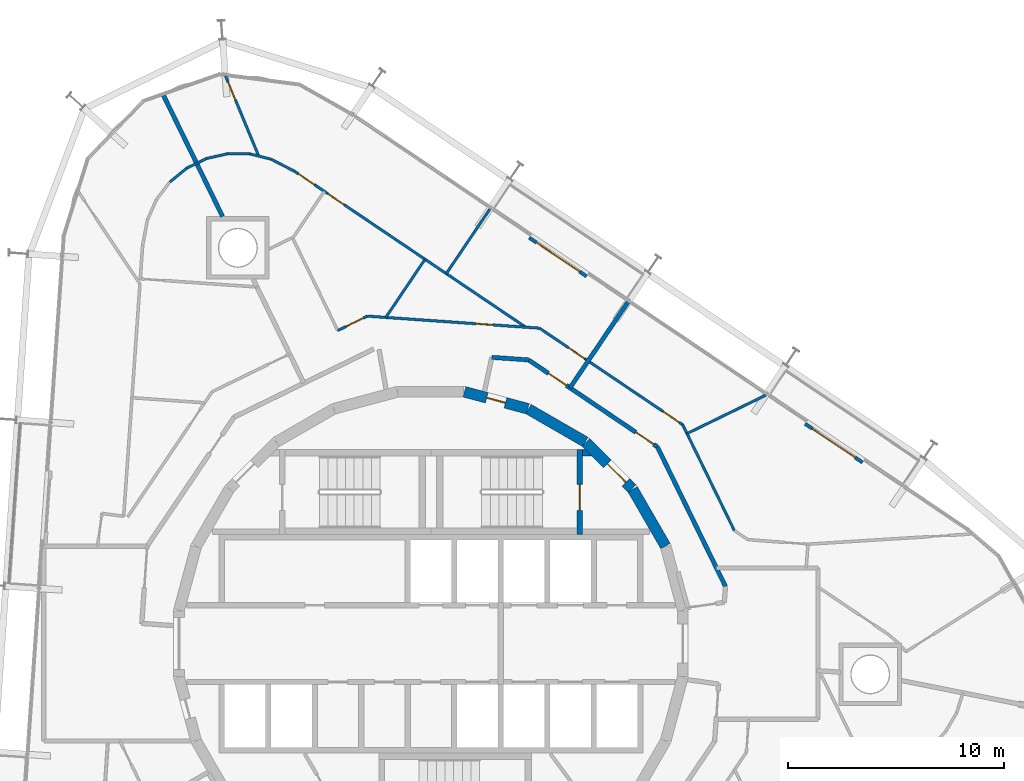
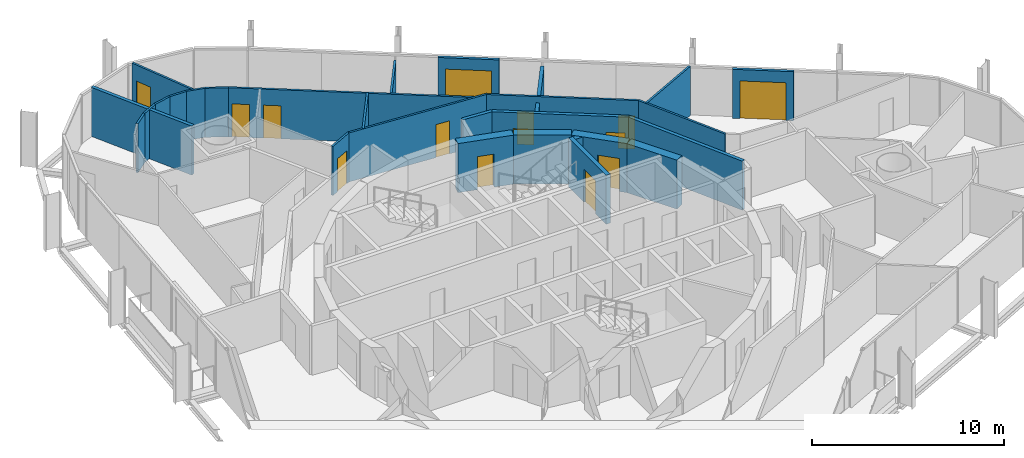
# One storey, part 16 of 18: 28 walls, 14 doors, 14 openings.
"""IFC4 building model written with IfcOpenShell, lengths in metres."""

from ifc_helpers import new_model, si_unit, direction, frame, frame_2d, origin, place, context, subcontext, project, spatial, polyline, rectangle, outline, extrude, material, layer, layer_set, type_object, element, fill, save


model = new_model("IFC4")

# Units and contexts
model_context = context("Model", 3, precision=1e-05, world=origin(), true_north=direction((0.0, 1.0)))
body_context = subcontext(model_context, "Body", "Model", "MODEL_VIEW")
ifc_project = project(units=[si_unit("LENGTHUNIT", "METRE"), si_unit("AREAUNIT", "SQUARE_METRE"), si_unit("VOLUMEUNIT", "CUBIC_METRE"), si_unit("PLANEANGLEUNIT", "RADIAN"), si_unit("MASSUNIT", "GRAM", prefix="KILO")], contexts=[model_context])

# Site, building, storey
site_placement = place(None, origin())
site = spatial("IfcSite", under=ifc_project, at=site_placement, CompositionType="ELEMENT")
building_placement = place(site_placement, origin())
building = spatial("IfcBuilding", under=site, at=building_placement, Name="Spindle Arch Residences", CompositionType="ELEMENT")
storey_placement = place(building_placement, frame((0.0, 0.0, 205.89990234375)))
storey = spatial("IfcBuildingStorey", under=building, at=storey_placement, Name="L52", CompositionType="ELEMENT", Elevation=205.89990234375)

# Wall
ifc_material_1 = material(Name="Concrete C50/60", Category="concrete")
ifc_layer_1 = layer(ifc_material_1, 0.5)
ifc_layer_set_1 = layer_set([ifc_layer_1], Name="Core outline wall 500")
wall_type_1 = type_object("IfcWallType", Name="Core outline wall 500", PredefinedType="SHEAR", material=ifc_layer_set_1)
wall_1_placement = place(storey_placement, frame((10.84521484375, 4.510498046875, 0.0), z_axis=(0.0, 0.0, 1.0), x_axis=(-0.500087131594, 0.865975092491, 0.0)))
element("IfcWall", 1, at=wall_1_placement, inside=storey, type_object=wall_type_1, Name="Core outline wall 8", PredefinedType="SHEAR", context=body_context, shape_type="SweptSolid", body=[
    extrude(rectangle(XDim=3.03271484375, YDim=0.5, at=frame_2d((1.516357421875, 0.0))), origin(), (0.0, 0.0, 1.0), 3.1201171875),
])

# Wall, opening, door
wall_2_placement = place(storey_placement, frame((9.30810546875, 7.163818359375, 0.0), z_axis=(0.0, 0.0, 1.0), x_axis=(-0.707106781187, 0.707106781187, 0.0)))
wall_2 = element("IfcWall", 2, at=wall_2_placement, inside=storey, type_object=wall_type_1, Name="Core outline wall 9", PredefinedType="SHEAR", context=body_context, shape_type="SweptSolid", body=[
    extrude(rectangle(XDim=3.032470703125, YDim=0.5, at=frame_2d((1.51611328125, 0.0))), origin(), (0.0, 0.0, 1.0), 3.1201171875),
])
opening_1_placement = place(wall_2_placement, frame((0.416259765625, 0.0, 0.0)))
opening_1 = element("IfcOpeningElement", 3, at=opening_1_placement, cuts=wall_2, Name="Opening R5B1-AD01", PredefinedType="OPENING", context=body_context, shape_type="SweptSolid", body=[
    extrude(rectangle(XDim=1.199951171875, YDim=2.10009765625, at=frame_2d((0.60009765625, 1.050048828125))), frame((0.0, 0.260009765625, 0.0), z_axis=(0.0, -1.0, 0.0), x_axis=(1.0, 0.0, 0.0)), (0.0, 0.0, 1.0), 0.52001953125),
])
ifc_material_2 = material(Name="Steel, fire-resisting door", Category="steel")
door_type_1 = type_object("IfcDoorType", Name="Stair airlock door 1200x2100", OperationType="SINGLE_SWING_LEFT", PredefinedType="DOOR", material=ifc_material_2)
door_1_placement = place(opening_1_placement, origin())
door_1 = element("IfcDoor", 4, at=door_1_placement, inside=storey, type_object=door_type_1, Name="Stair airlock door R5B1-AD01", OperationType="SINGLE_SWING_RIGHT", OverallHeight=2.10009765625, OverallWidth=1.199951171875, PredefinedType="DOOR", context=body_context, shape_type="SweptSolid", body=[
    extrude(rectangle(XDim=1.199951171875, YDim=2.10009765625, at=frame_2d((0.60009765625, 1.050048828125))), frame((0.0, 0.02490234375, 0.0), z_axis=(0.0, -1.0, 0.0), x_axis=(1.0, 0.0, 0.0)), (0.0, 0.0, 1.0), 0.050048828125),
])
fill(opening_1, door_1)

# Wall
wall_3_placement = place(storey_placement, frame((7.13671875, 9.32861328125, 0.0), z_axis=(0.0, 0.0, 1.0), x_axis=(-0.865975092491, 0.500087131594, 0.0)))
element("IfcWall", 5, at=wall_3_placement, inside=storey, type_object=wall_type_1, Name="Core outline wall 10", PredefinedType="SHEAR", context=body_context, shape_type="SweptSolid", body=[
    extrude(rectangle(XDim=3.03271484375, YDim=0.5, at=frame_2d((1.516357421875, 0.0))), origin(), (0.0, 0.0, 1.0), 3.1201171875),
])

# Wall, opening, door
wall_4_placement = place(storey_placement, frame((4.479248046875, 10.858154296875, 0.0), z_axis=(0.0, 0.0, 1.0), x_axis=(-0.965948410781, 0.258734743916, 0.0)))
wall_4 = element("IfcWall", 6, at=wall_4_placement, inside=storey, type_object=wall_type_1, Name="Core outline wall 11", PredefinedType="SHEAR", context=body_context, shape_type="SweptSolid", body=[
    extrude(rectangle(XDim=3.03271484375, YDim=0.5, at=frame_2d((1.516357421875, 0.0))), origin(), (0.0, 0.0, 1.0), 3.1201171875),
])
opening_2_placement = place(wall_4_placement, frame((1.066162109375, 0.0, 0.0)))
opening_2 = element("IfcOpeningElement", 7, at=opening_2_placement, cuts=wall_4, Name="Opening R5B1-WD11", PredefinedType="OPENING", context=body_context, shape_type="SweptSolid", body=[
    extrude(rectangle(XDim=0.89990234375, YDim=2.10009765625, at=frame_2d((0.449951171875, 1.050048828125))), frame((0.0, 0.260009765625, 0.0), z_axis=(0.0, -1.0, 0.0), x_axis=(1.0, 0.0, 0.0)), (0.0, 0.0, 1.0), 0.52001953125),
])
ifc_material_3 = material(Name="Steel, fire-resisting door", Category="steel")
door_type_2 = type_object("IfcDoorType", Name="Service room door 900x2100", OperationType="SINGLE_SWING_LEFT", PredefinedType="DOOR", material=ifc_material_3)
door_2_placement = place(opening_2_placement, origin())
door_2 = element("IfcDoor", 8, at=door_2_placement, inside=storey, type_object=door_type_2, Name="Service room door R5B1-WD11", OperationType="SINGLE_SWING_LEFT", OverallHeight=2.10009765625, OverallWidth=0.89990234375, PredefinedType="DOOR", context=body_context, shape_type="SweptSolid", body=[
    extrude(rectangle(XDim=0.89990234375, YDim=2.10009765625, at=frame_2d((0.449951171875, 1.050048828125))), frame((0.0, 0.02490234375, 0.0), z_axis=(0.0, -1.0, 0.0), x_axis=(1.0, 0.0, 0.0)), (0.0, 0.0, 1.0), 0.050048828125),
])
fill(opening_2, door_2)

# Wall, openings, doors
ifc_material_4 = material(Name="Calcium silicate block, plastered")
ifc_layer_2 = layer(ifc_material_4, 0.199951171875)
ifc_layer_set_2 = layer_set([ifc_layer_2], Name="Corridor wall 200")
wall_type_2 = type_object("IfcWallType", Name="Corridor wall 200", PredefinedType="STANDARD", material=ifc_layer_set_2)
wall_5_placement = place(storey_placement, frame((10.469970703125, 9.101318359375, 0.0), z_axis=(0.0, 0.0, 1.0), x_axis=(-0.829035841718, 0.559195469534, 0.0)))
wall_5 = element("IfcWall", 9, at=wall_5_placement, inside=storey, type_object=wall_type_2, Name="Corridor wall R5B1-W005", PredefinedType="STANDARD", context=body_context, shape_type="SweptSolid", body=[
    extrude(rectangle(XDim=7.18115234375, YDim=0.199951171875, at=frame_2d((3.590576171875, 0.0))), origin(), (0.0, 0.0, 1.0), 3.1201171875),
])
opening_3_placement = place(wall_5_placement, frame((0.199951171875, 0.0, 0.0)))
opening_3 = element("IfcOpeningElement", 10, at=opening_3_placement, cuts=wall_5, Name="Opening R5B1-FD01", PredefinedType="OPENING", context=body_context, shape_type="SweptSolid", body=[
    extrude(rectangle(XDim=1.0, YDim=2.10009765625, at=frame_2d((0.5, 1.050048828125))), frame((0.0, 0.10986328125, 0.0), z_axis=(0.0, -1.0, 0.0), x_axis=(1.0, 0.0, 0.0)), (0.0, 0.0, 1.0), 0.219970703125),
])
opening_4_placement = place(wall_5_placement, frame((5.07275390625, 0.0, 0.0)))
opening_4 = element("IfcOpeningElement", 11, at=opening_4_placement, cuts=wall_5, Name="Opening R5B1-FD02", PredefinedType="OPENING", context=body_context, shape_type="SweptSolid", body=[
    extrude(rectangle(XDim=1.0, YDim=2.10009765625, at=frame_2d((0.5, 1.050048828125))), frame((0.0, 0.10986328125, 0.0), z_axis=(0.0, -1.0, 0.0), x_axis=(1.0, 0.0, 0.0)), (0.0, 0.0, 1.0), 0.219970703125),
])
ifc_material_5 = material(Name="Timber, fire-resisting door set", Category="wood")
door_type_3 = type_object("IfcDoorType", Name="Flat entrance door 1000x2100", OperationType="NOTDEFINED", PredefinedType="DOOR", material=ifc_material_5)
door_3_placement = place(opening_3_placement, origin())
door_3 = element("IfcDoor", 12, at=door_3_placement, inside=storey, type_object=door_type_3, Name="Flat entrance door R5B1-FD01", OperationType="SINGLE_SWING_LEFT", OverallHeight=2.10009765625, OverallWidth=1.0, PredefinedType="DOOR", context=body_context, shape_type="SweptSolid", body=[
    extrude(rectangle(XDim=1.0, YDim=2.10009765625, at=frame_2d((0.5, 1.050048828125))), frame((0.0, 0.02490234375, 0.0), z_axis=(0.0, -1.0, 0.0), x_axis=(1.0, 0.0, 0.0)), (0.0, 0.0, 1.0), 0.050048828125),
])
fill(opening_3, door_3)
door_4_placement = place(opening_4_placement, origin())
door_4 = element("IfcDoor", 13, at=door_4_placement, inside=storey, type_object=door_type_3, Name="Flat entrance door R5B1-FD02", OperationType="SINGLE_SWING_RIGHT", OverallHeight=2.10009765625, OverallWidth=1.0, PredefinedType="DOOR", context=body_context, shape_type="SweptSolid", body=[
    extrude(rectangle(XDim=1.0, YDim=2.10009765625, at=frame_2d((0.5, 1.050048828125))), frame((0.0, 0.02490234375, 0.0), z_axis=(0.0, -1.0, 0.0), x_axis=(1.0, 0.0, 0.0)), (0.0, 0.0, 1.0), 0.050048828125),
])
fill(opening_4, door_4)

# Walls
wall_6_placement = place(storey_placement, frame((4.5166015625, 13.116943359375, 0.0), z_axis=(0.0, 0.0, 1.0), x_axis=(-0.997562153664, 0.069783591025, 0.0)))
element("IfcWall", 14, at=wall_6_placement, inside=storey, type_object=wall_type_2, Name="Corridor wall R5B1-W006", PredefinedType="STANDARD", context=body_context, shape_type="SweptSolid", body=[
    extrude(rectangle(XDim=1.707275390625, YDim=0.199951171875, at=frame_2d((0.853515625, 0.0))), origin(), (0.0, 0.0, 1.0), 3.1201171875),
])
ifc_material_6 = material(Name="Calcium silicate block, plastered")
ifc_layer_3 = layer(ifc_material_6, 0.199951171875)
ifc_layer_set_3 = layer_set([ifc_layer_3], Name="Fire-lift lobby bay wall 200")
wall_type_3 = type_object("IfcWallType", Name="Fire-lift lobby bay wall 200", PredefinedType="STANDARD", material=ifc_layer_set_3)
wall_7_placement = place(storey_placement, frame((13.617919921875, 2.64697265625, 0.0), z_axis=(0.0, 0.0, 1.0), x_axis=(-0.438366026218, 0.898796543751, 0.0)))
element("IfcWall", 15, at=wall_7_placement, inside=storey, type_object=wall_type_3, Name="Fire-lift lobby bay wall R5B1-W004", PredefinedType="STANDARD", context=body_context, shape_type="SweptSolid", body=[
    extrude(rectangle(XDim=7.18115234375, YDim=0.199951171875, at=frame_2d((3.590576171875, 0.0))), origin(), (0.0, 0.0, 1.0), 3.1201171875),
])
ifc_material_7 = material(Name="Plasterboard on steel studs", Category="steel")
ifc_layer_4 = layer(ifc_material_7, 0.1201171875)
ifc_layer_set_4 = layer_set([ifc_layer_4], Name="Flat partition 120")
wall_type_4 = type_object("IfcWallType", Name="Flat partition 120", PredefinedType="PARTITIONING", material=ifc_layer_set_4)
wall_8_placement = place(storey_placement, frame((14.02587890625, 5.232177734375, 0.0), z_axis=(0.0, 0.0, 1.0), x_axis=(-0.438374985284, 0.89879217413, 0.0)))
element("IfcWall", 16, at=wall_8_placement, inside=storey, type_object=wall_type_4, Name="Flat partition R5B1-W041", PredefinedType="PARTITIONING", context=body_context, shape_type="SweptSolid", body=[
    extrude(rectangle(XDim=5.438232421875, YDim=0.1201171875, at=frame_2d((2.71923828125, 0.0))), origin(), (0.0, 0.0, 1.0), 3.1201171875),
])

# Wall, openings, doors
wall_9_placement = place(storey_placement, frame((11.641845703125, 10.1201171875, 0.0), z_axis=(0.0, 0.0, 1.0), x_axis=(-0.829032241779, 0.55920080659, 0.0)))
wall_9 = element("IfcWall", 17, at=wall_9_placement, inside=storey, type_object=wall_type_4, Name="Flat partition R5B1-W042", PredefinedType="PARTITIONING", context=body_context, shape_type="SweptSolid", body=[
    extrude(rectangle(XDim=7.98486328125, YDim=0.1201171875, at=frame_2d((3.992431640625, 0.0))), origin(), (0.0, 0.0, 1.0), 3.1201171875),
])
opening_5_placement = place(wall_9_placement, frame((0.199951171875, 0.0, 0.0)))
opening_5 = element("IfcOpeningElement", 18, at=opening_5_placement, cuts=wall_9, Name="Opening R5B1-ID02", PredefinedType="OPENING", context=body_context, shape_type="SweptSolid", body=[
    extrude(rectangle(XDim=0.89990234375, YDim=2.10009765625, at=frame_2d((0.449951171875, 1.050048828125))), frame((0.0, 0.070068359375, 0.0), z_axis=(0.0, -1.0, 0.0), x_axis=(1.0, 0.0, 0.0)), (0.0, 0.0, 1.0), 0.14013671875),
])
opening_6_placement = place(wall_9_placement, frame((5.474853515625, 0.0, 0.0)))
opening_6 = element("IfcOpeningElement", 19, at=opening_6_placement, cuts=wall_9, Name="Opening R5B1-ID05", PredefinedType="OPENING", context=body_context, shape_type="SweptSolid", body=[
    extrude(rectangle(XDim=0.89990234375, YDim=2.10009765625, at=frame_2d((0.449951171875, 1.050048828125))), frame((0.0, 0.070068359375, 0.0), z_axis=(0.0, -1.0, 0.0), x_axis=(1.0, 0.0, 0.0)), (0.0, 0.0, 1.0), 0.14013671875),
])
ifc_material_8 = material(Name="Timber door set", Category="wood")
door_type_4 = type_object("IfcDoorType", Name="Room door 900x2100", OperationType="NOTDEFINED", PredefinedType="DOOR", material=ifc_material_8)
door_5_placement = place(opening_5_placement, origin())
door_5 = element("IfcDoor", 20, at=door_5_placement, inside=storey, type_object=door_type_4, Name="Room door R5B1-ID02", OperationType="SINGLE_SWING_LEFT", OverallHeight=2.10009765625, OverallWidth=0.89990234375, PredefinedType="DOOR", context=body_context, shape_type="SweptSolid", body=[
    extrude(rectangle(XDim=0.89990234375, YDim=2.10009765625, at=frame_2d((0.449951171875, 1.050048828125))), frame((0.0, 0.02490234375, 0.0), z_axis=(0.0, -1.0, 0.0), x_axis=(1.0, 0.0, 0.0)), (0.0, 0.0, 1.0), 0.050048828125),
])
fill(opening_5, door_5)
door_6_placement = place(opening_6_placement, origin())
door_6 = element("IfcDoor", 21, at=door_6_placement, inside=storey, type_object=door_type_4, Name="Room door R5B1-ID05", OperationType="SINGLE_SWING_RIGHT", OverallHeight=2.10009765625, OverallWidth=0.89990234375, PredefinedType="DOOR", context=body_context, shape_type="SweptSolid", body=[
    extrude(rectangle(XDim=0.89990234375, YDim=2.10009765625, at=frame_2d((0.449951171875, 1.050048828125))), frame((0.0, 0.02490234375, 0.0), z_axis=(0.0, -1.0, 0.0), x_axis=(1.0, 0.0, 0.0)), (0.0, 0.0, 1.0), 0.050048828125),
])
fill(opening_6, door_6)

# Wall
wall_10_placement = place(storey_placement, frame((15.48193359375, 11.4873046875, 0.0), z_axis=(0.0, 0.0, 1.0), x_axis=(-0.898807251285, -0.438344071521, 0.0)))
element("IfcWall", 22, at=wall_10_placement, inside=storey, type_object=wall_type_4, Name="Flat partition R5B1-W048", PredefinedType="PARTITIONING", context=body_context, shape_type="SweptSolid", body=[
    extrude(rectangle(XDim=4.05078125, YDim=0.1201171875, at=frame_2d((2.025390625, 0.0))), origin(), (0.0, 0.0, 1.0), 3.1201171875),
])

# Wall, opening, door
wall_11_placement = place(storey_placement, frame((5.022216796875, 14.585205078125, 0.0), z_axis=(0.0, 0.0, 1.0), x_axis=(-0.997565118395, 0.069741197017, 0.0)))
wall_11 = element("IfcWall", 23, at=wall_11_placement, inside=storey, type_object=wall_type_4, Name="Flat partition R5B1-W049", PredefinedType="PARTITIONING", context=body_context, shape_type="SweptSolid", body=[
    extrude(rectangle(XDim=7.985107421875, YDim=0.1201171875, at=frame_2d((3.99267578125, 0.0))), origin(), (0.0, 0.0, 1.0), 3.1201171875),
])
opening_7_placement = place(wall_11_placement, frame((2.138427734375, 0.0, 0.0)))
opening_7 = element("IfcOpeningElement", 24, at=opening_7_placement, cuts=wall_11, Name="Opening R5B1-BD02", PredefinedType="OPENING", context=body_context, shape_type="SweptSolid", body=[
    extrude(rectangle(XDim=0.800048828125, YDim=2.10009765625, at=frame_2d((0.39990234375, 1.050048828125))), frame((0.0, 0.070068359375, 0.0), z_axis=(0.0, -1.0, 0.0), x_axis=(1.0, 0.0, 0.0)), (0.0, 0.0, 1.0), 0.14013671875),
])
ifc_material_9 = material(Name="Timber door set", Category="wood")
door_type_5 = type_object("IfcDoorType", Name="Bathroom door 800x2100", OperationType="NOTDEFINED", PredefinedType="DOOR", material=ifc_material_9)
door_7_placement = place(opening_7_placement, origin())
door_7 = element("IfcDoor", 25, at=door_7_placement, inside=storey, type_object=door_type_5, Name="Bathroom door R5B1-BD02", OperationType="SINGLE_SWING_RIGHT", OverallHeight=2.10009765625, OverallWidth=0.800048828125, PredefinedType="DOOR", context=body_context, shape_type="SweptSolid", body=[
    extrude(rectangle(XDim=0.800048828125, YDim=2.10009765625, at=frame_2d((0.39990234375, 1.050048828125))), frame((0.0, 0.02490234375, 0.0), z_axis=(0.0, -1.0, 0.0), x_axis=(1.0, 0.0, 0.0)), (0.0, 0.0, 1.0), 0.050048828125),
])
fill(opening_7, door_7)

wall_12_placement = place(storey_placement, frame((-2.943359375, 15.14208984375, 0.0), z_axis=(0.0, 0.0, 1.0), x_axis=(-0.898853439798, -0.438249351127, 0.0)))
wall_12 = element("IfcWall", 26, at=wall_12_placement, inside=storey, type_object=wall_type_4, Name="Flat partition R5B1-W050", PredefinedType="PARTITIONING", context=body_context, shape_type="SweptSolid", body=[
    extrude(rectangle(XDim=1.51806640625, YDim=0.1201171875, at=frame_2d((0.759033203125, 0.0))), origin(), (0.0, 0.0, 1.0), 3.1201171875),
])
opening_8_placement = place(wall_12_placement, frame((0.199951171875, 0.0, 0.0)))
opening_8 = element("IfcOpeningElement", 27, at=opening_8_placement, cuts=wall_12, Name="Opening R5B1-ID06", PredefinedType="OPENING", context=body_context, shape_type="SweptSolid", body=[
    extrude(rectangle(XDim=0.89990234375, YDim=2.10009765625, at=frame_2d((0.449951171875, 1.050048828125))), frame((0.0, 0.070068359375, 0.0), z_axis=(0.0, -1.0, 0.0), x_axis=(1.0, 0.0, 0.0)), (0.0, 0.0, 1.0), 0.14013671875),
])
door_8_placement = place(opening_8_placement, origin())
door_8 = element("IfcDoor", 28, at=door_8_placement, inside=storey, type_object=door_type_4, Name="Room door R5B1-ID06", OperationType="SINGLE_SWING_RIGHT", OverallHeight=2.10009765625, OverallWidth=0.89990234375, PredefinedType="DOOR", context=body_context, shape_type="SweptSolid", body=[
    extrude(rectangle(XDim=0.89990234375, YDim=2.10009765625, at=frame_2d((0.449951171875, 1.050048828125))), frame((0.0, 0.02490234375, 0.0), z_axis=(0.0, -1.0, 0.0), x_axis=(1.0, 0.0, 0.0)), (0.0, 0.0, 1.0), 0.050048828125),
])
fill(opening_8, door_8)

# Wall, openings, doors
wall_13_placement = place(storey_placement, frame((-6.291748046875, 21.831298828125, 0.0), z_axis=(0.0, 0.0, 1.0), x_axis=(0.829040041754, -0.559189242715, 0.0)))
wall_13 = element("IfcWall", 29, at=wall_13_placement, inside=storey, type_object=wall_type_4, Name="Flat partition R5B1-W053", PredefinedType="PARTITIONING", context=body_context, shape_type="SweptSolid", body=[
    extrude(rectangle(XDim=12.878662109375, YDim=0.1201171875, at=frame_2d((6.439453125, 0.0))), origin(), (0.0, 0.0, 1.0), 3.1201171875),
])
opening_9_placement = place(wall_13_placement, frame((1.843994140625, 0.0, 0.0)))
opening_9 = element("IfcOpeningElement", 30, at=opening_9_placement, cuts=wall_13, Name="Opening R5B1-ID07", PredefinedType="OPENING", context=body_context, shape_type="SweptSolid", body=[
    extrude(rectangle(XDim=0.89990234375, YDim=2.10009765625, at=frame_2d((0.449951171875, 1.050048828125))), frame((0.0, 0.070068359375, 0.0), z_axis=(0.0, -1.0, 0.0), x_axis=(1.0, 0.0, 0.0)), (0.0, 0.0, 1.0), 0.14013671875),
])
opening_10_placement = place(wall_13_placement, frame((0.199951171875, 0.0, 0.0)))
opening_10 = element("IfcOpeningElement", 31, at=opening_10_placement, cuts=wall_13, Name="Opening R5B1-ID08", PredefinedType="OPENING", context=body_context, shape_type="SweptSolid", body=[
    extrude(rectangle(XDim=0.89990234375, YDim=2.10009765625, at=frame_2d((0.449951171875, 1.050048828125))), frame((0.0, 0.070068359375, 0.0), z_axis=(0.0, -1.0, 0.0), x_axis=(1.0, 0.0, 0.0)), (0.0, 0.0, 1.0), 0.14013671875),
])
door_9_placement = place(opening_9_placement, origin())
door_9 = element("IfcDoor", 32, at=door_9_placement, inside=storey, type_object=door_type_4, Name="Room door R5B1-ID07", OperationType="SINGLE_SWING_RIGHT", OverallHeight=2.10009765625, OverallWidth=0.89990234375, PredefinedType="DOOR", context=body_context, shape_type="SweptSolid", body=[
    extrude(rectangle(XDim=0.89990234375, YDim=2.10009765625, at=frame_2d((0.449951171875, 1.050048828125))), frame((0.0, 0.02490234375, 0.0), z_axis=(0.0, -1.0, 0.0), x_axis=(1.0, 0.0, 0.0)), (0.0, 0.0, 1.0), 0.050048828125),
])
fill(opening_9, door_9)
door_10_placement = place(opening_10_placement, origin())
door_10 = element("IfcDoor", 33, at=door_10_placement, inside=storey, type_object=door_type_4, Name="Room door R5B1-ID08", OperationType="SINGLE_SWING_LEFT", OverallHeight=2.10009765625, OverallWidth=0.89990234375, PredefinedType="DOOR", context=body_context, shape_type="SweptSolid", body=[
    extrude(rectangle(XDim=0.89990234375, YDim=2.10009765625, at=frame_2d((0.449951171875, 1.050048828125))), frame((0.0, 0.02490234375, 0.0), z_axis=(0.0, -1.0, 0.0), x_axis=(1.0, 0.0, 0.0)), (0.0, 0.0, 1.0), 0.050048828125),
])
fill(opening_10, door_10)

# Walls
wall_14_placement = place(storey_placement, frame((-0.271728515625, 17.77099609375, 0.0), z_axis=(0.0, 0.0, 1.0), x_axis=(-0.559174158254, -0.829050216055, 0.0)))
element("IfcWall", 34, at=wall_14_placement, inside=storey, type_object=wall_type_4, Name="Flat partition R5B1-W055", PredefinedType="PARTITIONING", context=body_context, shape_type="SweptSolid", body=[
    extrude(rectangle(XDim=3.2431640625, YDim=0.1201171875, at=frame_2d((1.62158203125, 0.0))), origin(), (0.0, 0.0, 1.0), 3.1201171875),
])
wall_15_placement = place(storey_placement, frame((-8.367431640625, 22.640380859375, 0.0), z_axis=(0.0, 0.0, 1.0), x_axis=(0.970340073087, -0.241743960754, 0.0)))
element("IfcWall", 35, at=wall_15_placement, inside=storey, type_object=wall_type_4, Name="Flat partition R5B1-W056", PredefinedType="PARTITIONING", context=body_context, shape_type="SweptSolid", body=[
    extrude(rectangle(XDim=1.015869140625, YDim=0.1201171875, at=frame_2d((0.5078125, 0.0))), origin(), (0.0, 0.0, 1.0), 3.1201171875),
])
wall_16_placement = place(storey_placement, frame((-7.381591796875, 22.394775390625, 0.0), z_axis=(0.0, 0.0, 1.0), x_axis=(0.888296031948, -0.459271335514, 0.0)))
element("IfcWall", 36, at=wall_16_placement, inside=storey, type_object=wall_type_4, Name="Flat partition R5B1-W057", PredefinedType="PARTITIONING", context=body_context, shape_type="SweptSolid", body=[
    extrude(rectangle(XDim=1.226806640625, YDim=0.1201171875, at=frame_2d((0.61328125, 0.0))), origin(), (0.0, 0.0, 1.0), 3.1201171875),
])

# Wall, opening, door
wall_17_placement = place(storey_placement, frame((-9.498046875, 26.25390625, 0.0), z_axis=(0.0, 0.0, 1.0), x_axis=(0.38230709116, -0.924035328355, 0.0)))
wall_17 = element("IfcWall", 37, at=wall_17_placement, inside=storey, type_object=wall_type_4, Name="Flat partition R5B1-W058", PredefinedType="PARTITIONING", context=body_context, shape_type="SweptSolid", body=[
    extrude(rectangle(XDim=4.02001953125, YDim=0.1201171875, at=frame_2d((2.010009765625, 0.0))), origin(), (0.0, 0.0, 1.0), 3.1201171875),
])
opening_11_placement = place(wall_17_placement, frame((0.300048828125, 0.0, 0.0)))
opening_11 = element("IfcOpeningElement", 38, at=opening_11_placement, cuts=wall_17, Name="Opening R5B1-ID09", PredefinedType="OPENING", context=body_context, shape_type="SweptSolid", body=[
    extrude(rectangle(XDim=0.89990234375, YDim=2.10009765625, at=frame_2d((0.449951171875, 1.050048828125))), frame((0.0, 0.070068359375, 0.0), z_axis=(0.0, -1.0, 0.0), x_axis=(1.0, 0.0, 0.0)), (0.0, 0.0, 1.0), 0.14013671875),
])
door_11_placement = place(opening_11_placement, origin())
door_11 = element("IfcDoor", 39, at=door_11_placement, inside=storey, type_object=door_type_4, Name="Room door R5B1-ID09", OperationType="SINGLE_SWING_RIGHT", OverallHeight=2.10009765625, OverallWidth=0.89990234375, PredefinedType="DOOR", context=body_context, shape_type="SweptSolid", body=[
    extrude(rectangle(XDim=0.89990234375, YDim=2.10009765625, at=frame_2d((0.449951171875, 1.050048828125))), frame((0.0, 0.02490234375, 0.0), z_axis=(0.0, -1.0, 0.0), x_axis=(1.0, 0.0, 0.0)), (0.0, 0.0, 1.0), 0.050048828125),
])
fill(opening_11, door_11)

# Walls
for number, where, z_axis, x_axis, name in (
    (40, (-8.367431640625, 22.640380859375, 0.0), (0.0, 0.0, 1.0), (-0.999930669942, 0.011775198949, 0.0), "Flat partition R5B1-W060"),
    (41, (-9.38330078125, 22.65234375, 0.0), (0.0, 0.0, 1.0), (-0.975686894554, -0.219169075821, 0.0), "Flat partition R5B1-W061"),
):
    element("IfcWall", number, at=place(storey_placement, frame(where, z_axis=z_axis, x_axis=x_axis)), inside=storey, type_object=wall_type_4, Name=name, PredefinedType="PARTITIONING", context=body_context, shape_type="SweptSolid", body=[
        extrude(rectangle(XDim=1.015869140625, YDim=0.1201171875, at=frame_2d((0.5078125, 0.0))), origin(), (0.0, 0.0, 1.0), 3.1201171875),
    ])
wall_18_placement = place(storey_placement, frame((-10.37451171875, 22.4296875, 0.0), z_axis=(0.0, 0.0, 1.0), x_axis=(-0.898710701911, -0.438541986895, 0.0)))
element("IfcWall", 42, at=wall_18_placement, inside=storey, type_object=wall_type_4, Name="Flat partition R5B1-W062", PredefinedType="PARTITIONING", context=body_context, shape_type="SweptSolid", body=[
    extrude(rectangle(XDim=1.01611328125, YDim=0.1201171875, at=frame_2d((0.508056640625, 0.0))), origin(), (0.0, 0.0, 1.0), 3.1201171875),
])
wall_19_placement = place(storey_placement, frame((-11.28759765625, 21.984130859375, 0.0), z_axis=(0.0, 0.0, 1.0), x_axis=(-0.773571701215, -0.633708784127, 0.0)))
element("IfcWall", 43, at=wall_19_placement, inside=storey, type_object=wall_type_4, Name="Flat partition R5B1-W067", PredefinedType="PARTITIONING", context=body_context, shape_type="SweptSolid", body=[
    extrude(rectangle(XDim=1.015869140625, YDim=0.1201171875, at=frame_2d((0.5078125, 0.0))), origin(), (0.0, 0.0, 1.0), 3.1201171875),
])
ifc_material_10 = material(Name="Plasterboard on steel studs", Category="steel")
ifc_layer_5 = layer(ifc_material_10, 0.1201171875)
ifc_layer_set_5 = layer_set([ifc_layer_5], Name="Flat partition 120 under beam 2730")
wall_type_5 = type_object("IfcWallType", Name="Flat partition 120 under beam 2730", PredefinedType="PARTITIONING", material=ifc_layer_set_5)
wall_20_placement = place(storey_placement, frame((2.72509765625, 20.091796875, 0.0), z_axis=(0.0, 0.0, 1.0), x_axis=(-0.559230560117, -0.829012171582, 0.0)))
element("IfcWall", 44, at=wall_20_placement, inside=storey, type_object=wall_type_5, Name="Flat partition R5B1-W054", PredefinedType="PARTITIONING", context=body_context, shape_type="SweptSolid", body=[
    extrude(rectangle(XDim=3.599853515625, YDim=0.1201171875, at=frame_2d((1.7998046875, 0.0))), origin(), (0.0, 0.0, 1.0), 2.72998046875),
])
ifc_material_11 = material(Name="Calcium silicate block, plastered")
ifc_layer_6 = layer(ifc_material_11, 0.199951171875)
ifc_layer_set_6 = layer_set([ifc_layer_6], Name="Flat party wall 200")
wall_type_6 = type_object("IfcWallType", Name="Flat party wall 200", PredefinedType="STANDARD", material=ifc_layer_set_6)
wall_21_placement = place(storey_placement, frame((-12.4091796875, 25.4423828125, 0.0), z_axis=(0.0, 0.0, 1.0), x_axis=(0.43838641251, -0.898786600549, 0.0)))
element("IfcWall", 45, at=wall_21_placement, inside=storey, type_object=wall_type_6, Name="Flat party wall R5B1-W033", PredefinedType="STANDARD", context=body_context, shape_type="SweptSolid", body=[
    extrude(rectangle(XDim=6.33251953125, YDim=0.199951171875, at=frame_2d((3.166259765625, 0.0))), origin(), (0.0, 0.0, 1.0), 3.1201171875),
])
ifc_material_12 = material(Name="Calcium silicate block, plastered")
ifc_layer_7 = layer(ifc_material_12, 0.199951171875)
ifc_layer_set_7 = layer_set([ifc_layer_7], Name="Flat party wall 200 under beam 2730")
wall_type_7 = type_object("IfcWallType", Name="Flat party wall 200 under beam 2730", PredefinedType="STANDARD", material=ifc_layer_set_7)
wall_22_placement = place(storey_placement, frame((9.103515625, 15.78955078125, 0.0), z_axis=(0.0, 0.0, 1.0), x_axis=(-0.559193912135, -0.829036892201, 0.0)))
element("IfcWall", 46, at=wall_22_placement, inside=storey, type_object=wall_type_7, Name="Flat party wall R5B1-W028", PredefinedType="STANDARD", context=body_context, shape_type="SweptSolid", body=[
    extrude(rectangle(XDim=4.78076171875, YDim=0.199951171875, at=frame_2d((2.390380859375, 0.0))), origin(), (0.0, 0.0, 1.0), 2.72998046875),
])

# Wall, opening, door
ifc_material_13 = material(Name="Non-combustible mineral wool insulated aluminium faced external wall (K0)", Category="aluminium")
ifc_layer_8 = layer(ifc_material_13, 0.159912109375)
ifc_layer_set_8 = layer_set([ifc_layer_8], Name="Insulated external wall panel 160")
wall_type_8 = type_object("IfcWallType", Name="Insulated external wall panel 160", PredefinedType="STANDARD", material=ifc_layer_set_8)
wall_23_placement = place(storey_placement, frame((19.952880859375, 8.375244140625, 0.0), z_axis=(0.0, 0.0, 1.0), x_axis=(-0.829068838882, 0.55914654644, 0.0)))
wall_23 = element("IfcWall", 47, at=wall_23_placement, inside=storey, type_object=wall_type_8, Name="External wall L52 bay 6", PredefinedType="STANDARD", context=body_context, shape_type="SweptSolid", body=[
    extrude(rectangle(XDim=3.199951171875, YDim=0.159912109375, at=frame_2d((1.60009765625, 0.0))), origin(), (0.0, 0.0, 1.0), 3.1201171875),
])
opening_12_placement = place(wall_23_placement, frame((0.39990234375, 0.0, 0.0)))
opening_12 = element("IfcOpeningElement", 48, at=opening_12_placement, cuts=wall_23, Name="Opening BD06", PredefinedType="OPENING", context=body_context, shape_type="SweptSolid", body=[
    extrude(rectangle(XDim=2.39990234375, YDim=2.39990234375, at=frame_2d((1.199951171875, 1.199951171875))), frame((0.0, 0.08984375, 0.0), z_axis=(0.0, -1.0, 0.0), x_axis=(1.0, 0.0, 0.0)), (0.0, 0.0, 1.0), 0.179931640625),
])
ifc_material_14 = material(Name="Bronze aluminium frame, tinted double glazing", Category="aluminium")
door_type_6 = type_object("IfcDoorType", Name="Sliding glazed balcony door 2400x2400", OperationType="DOUBLE_DOOR_SLIDING", PredefinedType="DOOR", material=ifc_material_14)
door_12_placement = place(opening_12_placement, origin())
door_12 = element("IfcDoor", 49, at=door_12_placement, inside=storey, type_object=door_type_6, Name="Balcony door BD06", OperationType="DOUBLE_DOOR_SLIDING", OverallHeight=2.39990234375, OverallWidth=2.39990234375, PredefinedType="DOOR", context=body_context, shape_type="SweptSolid", body=[
    extrude(rectangle(XDim=2.39990234375, YDim=2.39990234375, at=frame_2d((1.199951171875, 1.199951171875))), frame((0.0, 0.02490234375, 0.0), z_axis=(0.0, -1.0, 0.0), x_axis=(1.0, 0.0, 0.0)), (0.0, 0.0, 1.0), 0.050048828125),
])
fill(opening_12, door_12)

wall_24_placement = place(storey_placement, frame((7.196044921875, 16.979736328125, 0.0), z_axis=(0.0, 0.0, 1.0), x_axis=(-0.829044984211, 0.559181915082, 0.0)))
wall_24 = element("IfcWall", 50, at=wall_24_placement, inside=storey, type_object=wall_type_8, Name="External wall L52 bay 8", PredefinedType="STANDARD", context=body_context, shape_type="SweptSolid", body=[
    extrude(rectangle(XDim=3.199951171875, YDim=0.159912109375, at=frame_2d((1.60009765625, 0.0))), origin(), (0.0, 0.0, 1.0), 3.1201171875),
])
opening_13_placement = place(wall_24_placement, frame((0.39990234375, 0.0, 0.0)))
opening_13 = element("IfcOpeningElement", 51, at=opening_13_placement, cuts=wall_24, Name="Opening BD08", PredefinedType="OPENING", context=body_context, shape_type="SweptSolid", body=[
    extrude(rectangle(XDim=2.39990234375, YDim=2.39990234375, at=frame_2d((1.199951171875, 1.199951171875))), frame((0.0, 0.08984375, 0.0), z_axis=(0.0, -1.0, 0.0), x_axis=(1.0, 0.0, 0.0)), (0.0, 0.0, 1.0), 0.179931640625),
])
door_13_placement = place(opening_13_placement, origin())
door_13 = element("IfcDoor", 52, at=door_13_placement, inside=storey, type_object=door_type_6, Name="Balcony door BD08", OperationType="DOUBLE_DOOR_SLIDING", OverallHeight=2.39990234375, OverallWidth=2.39990234375, PredefinedType="DOOR", context=body_context, shape_type="SweptSolid", body=[
    extrude(rectangle(XDim=2.39990234375, YDim=2.39990234375, at=frame_2d((1.199951171875, 1.199951171875))), frame((0.0, 0.02490234375, 0.0), z_axis=(0.0, -1.0, 0.0), x_axis=(1.0, 0.0, 0.0)), (0.0, 0.0, 1.0), 0.050048828125),
])
fill(opening_13, door_13)

# Wall
ifc_material_15 = material(Name="Concrete C40/50", Category="concrete")
wall_type_9 = type_object("IfcWallType", Name="Stair airlock wall profile", PredefinedType="SHEAR", material=ifc_material_15)
wall_25_placement = place(storey_placement, origin())
element("IfcWall", 53, at=wall_25_placement, inside=storey, type_object=wall_type_9, Name="Stair ST-1 airlock wall N", PredefinedType="SHEAR", context=body_context, shape_type="SweptSolid", body=[
    extrude(outline(polyline([(7.4482421875, 8.669921875), (7.0, 8.669921875), (7.0, 8.969970703125), (7.148193359375, 8.969970703125), (7.4482421875, 8.669921875)])), origin(), (0.0, 0.0, 1.0), 3.1201171875),
])

# Wall, opening, door
ifc_material_16 = material(Name="Concrete C50/60", Category="concrete")
ifc_layer_9 = layer(ifc_material_16, 0.25)
ifc_layer_set_9 = layer_set([ifc_layer_9], Name="Stair enclosure wall 250")
wall_type_10 = type_object("IfcWallType", Name="Stair enclosure wall 250", PredefinedType="SHEAR", material=ifc_layer_set_9)
wall_26_placement = place(storey_placement, frame((6.875, 5.050048828125, 0.0), z_axis=(0.0, 0.0, 1.0), x_axis=(0.0, 1.0, 0.0)))
wall_26 = element("IfcWall", 54, at=wall_26_placement, inside=storey, type_object=wall_type_10, Name="Stair ST-1 door wall", PredefinedType="SHEAR", context=body_context, shape_type="SweptSolid", body=[
    extrude(rectangle(XDim=3.919921875, YDim=0.25, at=frame_2d((1.9599609375, 0.0))), origin(), (0.0, 0.0, 1.0), 3.1201171875),
])
opening_14_placement = place(wall_26_placement, frame((1.110107421875, 0.0, 0.0)))
opening_14 = element("IfcOpeningElement", 55, at=opening_14_placement, cuts=wall_26, Name="Opening R5B1-SD01", PredefinedType="OPENING", context=body_context, shape_type="SweptSolid", body=[
    extrude(rectangle(XDim=1.199951171875, YDim=2.10009765625, at=frame_2d((0.60009765625, 1.050048828125))), frame((0.0, 0.135009765625, 0.0), z_axis=(0.0, -1.0, 0.0), x_axis=(1.0, 0.0, 0.0)), (0.0, 0.0, 1.0), 0.27001953125),
])
ifc_material_17 = material(Name="Steel, fire-resisting door", Category="steel")
door_type_7 = type_object("IfcDoorType", Name="Stair door 1200x2100", OperationType="SINGLE_SWING_RIGHT", PredefinedType="DOOR", material=ifc_material_17)
door_14_placement = place(opening_14_placement, origin())
door_14 = element("IfcDoor", 56, at=door_14_placement, inside=storey, type_object=door_type_7, Name="Stair door R5B1-SD01", OperationType="SINGLE_SWING_LEFT", OverallHeight=2.10009765625, OverallWidth=1.199951171875, PredefinedType="DOOR", context=body_context, shape_type="SweptSolid", body=[
    extrude(rectangle(XDim=1.199951171875, YDim=2.10009765625, at=frame_2d((0.60009765625, 1.050048828125))), frame((0.0, 0.02490234375, 0.0), z_axis=(0.0, -1.0, 0.0), x_axis=(1.0, 0.0, 0.0)), (0.0, 0.0, 1.0), 0.050048828125),
])
fill(opening_14, door_14)

save(model, "model.ifc")
